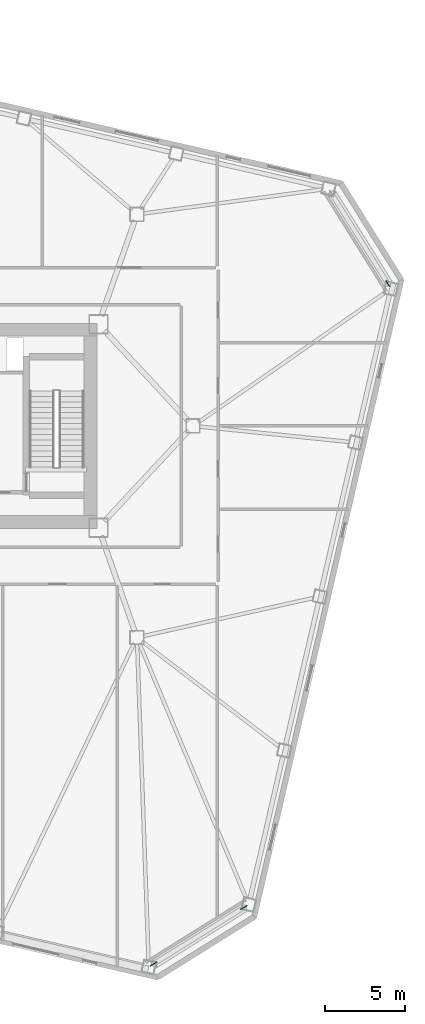
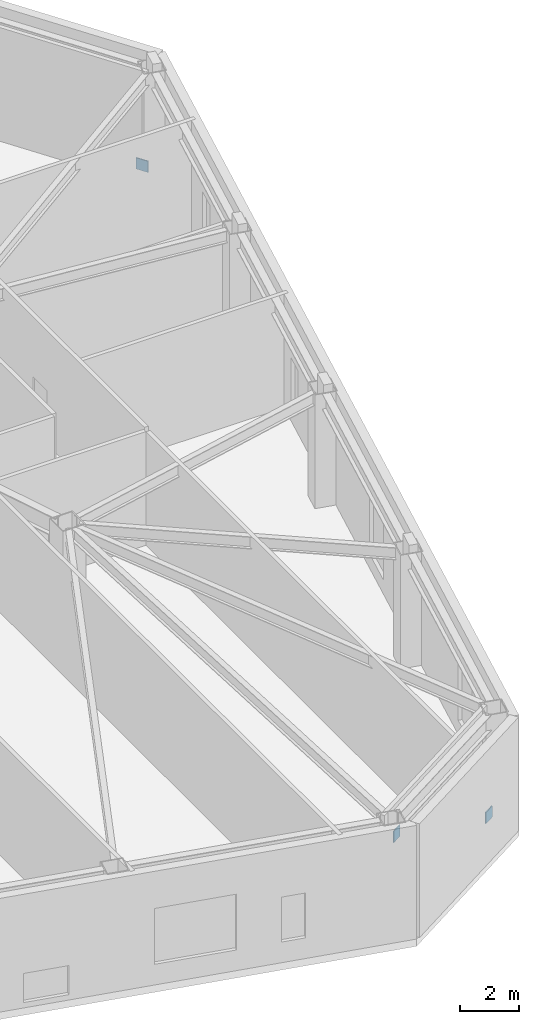
# One storey, part 17 of 19: 3 discrete accessories.
"""IFC4 building model written with IfcOpenShell, lengths in metres."""

from ifc_helpers import new_model, si_unit, direction, frame, origin, origin_2d, place, context, subcontext, project, spatial, rectangle, extrude, material, type_object, element, save


model = new_model("IFC4")

# Units and contexts
model_context = context("Model", 3, precision=1e-05, world=origin(), true_north=direction((0.0, 1.0)))
body_context = subcontext(model_context, "Body", "Model", "MODEL_VIEW")
ifc_project = project(units=[si_unit("LENGTHUNIT", "METRE"), si_unit("AREAUNIT", "SQUARE_METRE"), si_unit("VOLUMEUNIT", "CUBIC_METRE"), si_unit("PLANEANGLEUNIT", "RADIAN"), si_unit("MASSUNIT", "GRAM", prefix="KILO")], contexts=[model_context])

# Site, building, storey
site_placement = place(None, origin())
site = spatial("IfcSite", under=ifc_project, at=site_placement, CompositionType="ELEMENT")
building_placement = place(site_placement, origin())
building = spatial("IfcBuilding", under=site, at=building_placement, Name="Tavrogorsk Clinical Tower", CompositionType="ELEMENT")
storey_placement = place(building_placement, frame((0.0, 0.0, 28.39990234375)))
storey = spatial("IfcBuildingStorey", under=building, at=storey_placement, Name="L05", CompositionType="ELEMENT", Elevation=28.39990234375)

# Discrete accessories
ifc_material = material(Name="Structural steel S440", Category="steel")
discrete_accessory_type = type_object("IfcDiscreteAccessoryType", Name="GussetPlateBracket_25", PredefinedType="BRACKET", material=ifc_material)
for number, where, z_axis, x_axis, name in (
    (1, (31.166748046875, -30.052978515625, 0.252685546875), (0.0, 0.0, 1.0), (-0.848048096156, -0.529919264233, 0.0), "L05 Brace Gusset Plate EXOCRN-L05-1-A"),
    (2, (25.549072265625, -33.563232421875, 3.567626953125), (0.0, 0.0, 1.0), (-0.848048096156, -0.529919264233, 0.0), "L05 Brace Gusset Plate EXOCRN-L05-1-B"),
    (3, (40.155029296875, 8.87890625, 0.252685546875), (0.0, 0.0, 1.0), (-0.529919264233, 0.848048096156, 0.0), "L05 Brace Gusset Plate EXOCRN-L05-2-A"),
):
    element("IfcDiscreteAccessory", number, at=place(storey_placement, frame(where, z_axis=z_axis, x_axis=x_axis)), inside=storey, type_object=discrete_accessory_type, Name=name, PredefinedType="BRACKET", context=body_context, shape_type="SweptSolid", body=[
        extrude(rectangle(XDim=0.4599609375, YDim=0.0400390625, at=origin_2d()), origin(), (0.0, 0.0, 1.0), 0.4599609375),
    ])

save(model, "model.ifc")
